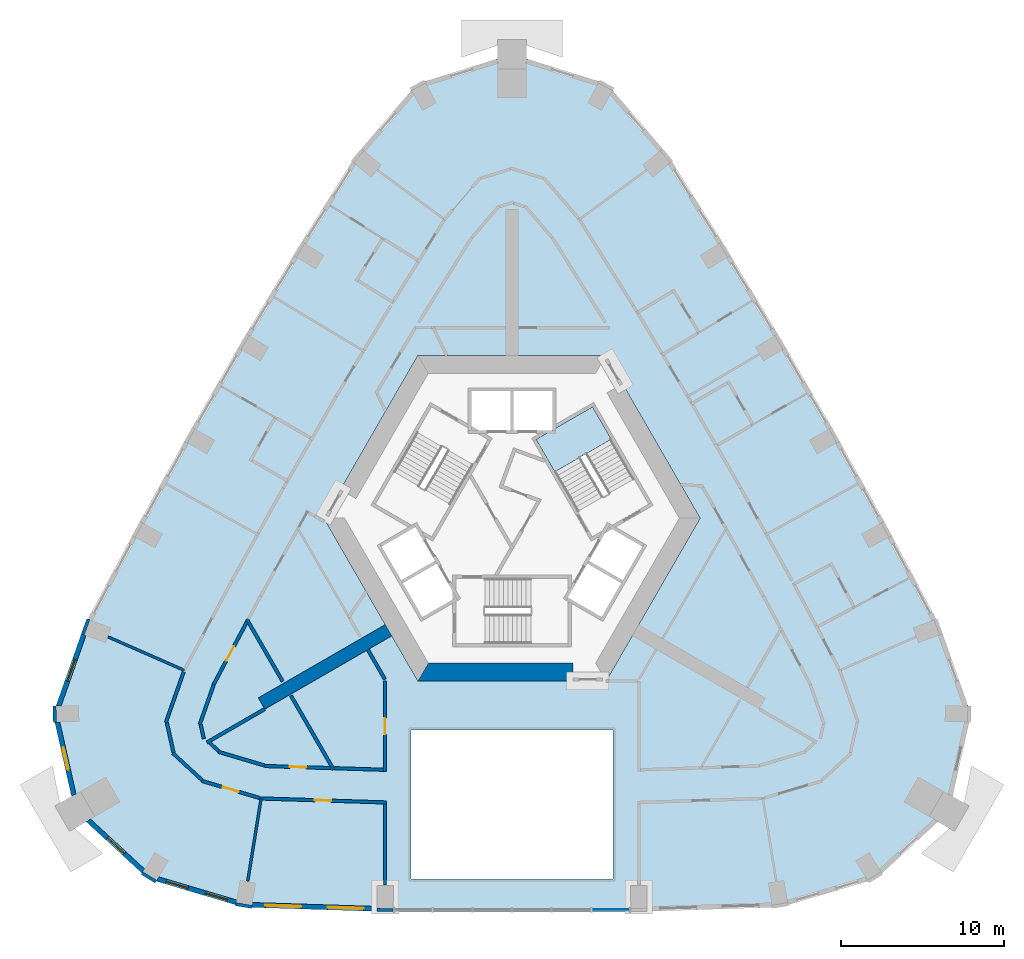
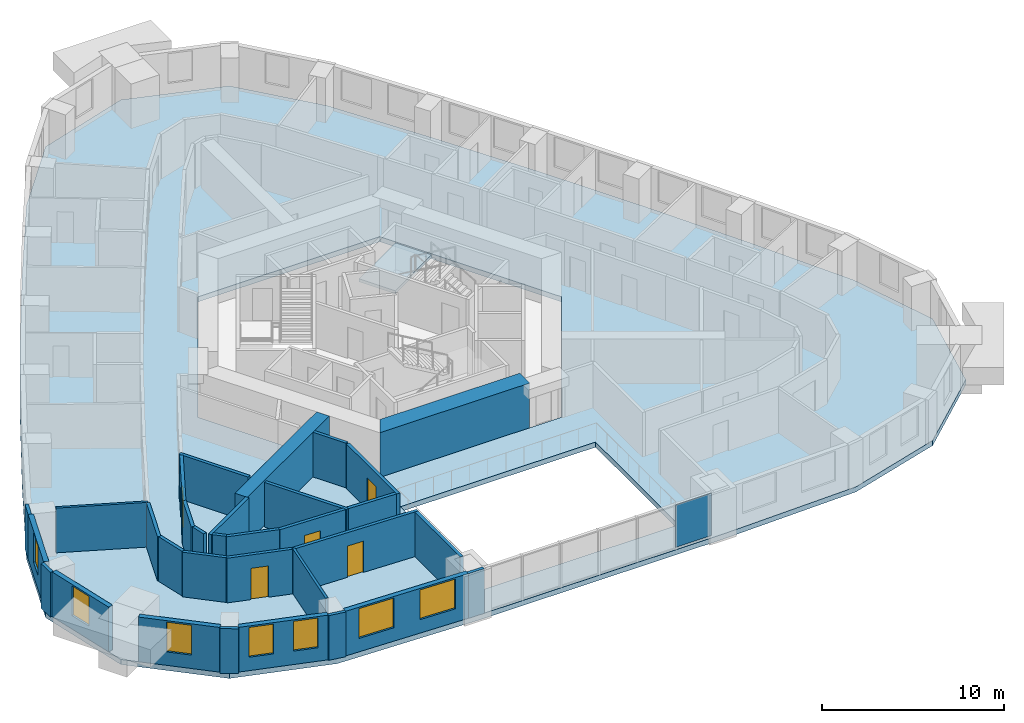
# One storey, part 3 of 12: 32 walls, 7 windows, 5 doors, 2 slabs, 1 plate, 12 openings, 2 elements without a shape of their own.
"""IFC4 building model written with IfcOpenShell, lengths in metres."""

from ifc_helpers import new_model, si_unit, direction, frame, frame_2d, origin, origin_2d, place, context, subcontext, project, spatial, polyline, rectangle, outline, extrude, material, layer, layer_set, type_object, element, fill, aggregate, save


model = new_model("IFC4")

# Units and contexts
model_context = context("Model", 3, precision=1e-05, world=origin(), true_north=direction((0.0, 1.0)))
body_context = subcontext(model_context, "Body", "Model", "MODEL_VIEW")
ifc_project = project(units=[si_unit("LENGTHUNIT", "METRE"), si_unit("AREAUNIT", "SQUARE_METRE"), si_unit("VOLUMEUNIT", "CUBIC_METRE"), si_unit("PLANEANGLEUNIT", "RADIAN"), si_unit("MASSUNIT", "GRAM", prefix="KILO")], contexts=[model_context])

# Site, building, storey
site_placement = place(None, origin())
site = spatial("IfcSite", under=ifc_project, at=site_placement, CompositionType="ELEMENT")
building_placement = place(site_placement, origin())
building = spatial("IfcBuilding", under=site, at=building_placement, Name="Entoto Arch Interchange Tower", CompositionType="ELEMENT")
storey_placement = place(building_placement, frame((0.0, 0.0, 277.39990234375)))
storey = spatial("IfcBuildingStorey", under=building, at=storey_placement, Name="L64", CompositionType="ELEMENT", Elevation=277.39990234375)

# Stair, slab
ifc_material_1 = material(Name="Concrete C40/50", Category="concrete")
stair_type = type_object("IfcStairType", Name="EXIT STAIR RC 1800", PredefinedType="HALF_TURN_STAIR", material=ifc_material_1)
stair_placement = place(storey_placement, origin())
stair = element("IfcStair", 1, at=stair_placement, inside=storey, type_object=stair_type, Name="L64 Exit stair NE", PredefinedType="HALF_TURN_STAIR")
ifc_layer_1 = layer(ifc_material_1, 0.199951171875)
ifc_layer_set_1 = layer_set([ifc_layer_1], Name="Concrete C40/50")
slab_type_1 = type_object("IfcSlabType", Name="EXIT STAIR LANDING RC 200", PredefinedType="LANDING", material=ifc_layer_set_1)
slab_1_placement = place(storey_placement, frame((0.0, 0.0, 1.60009765625)))
slab_1 = element("IfcSlab", 2, at=slab_1_placement, type_object=slab_type_1, Name="ST-NE landing 1", PredefinedType="LANDING", context=body_context, shape_type="SweptSolid", body=[
    extrude(outline(polyline([(6.093505859375, 7.345947265625), (4.943359375, 9.337890625), (1.479248046875, 7.337890625), (2.62939453125, 5.345947265625), (6.093505859375, 7.345947265625)])), origin(), (0.0, 0.0, 1.0), 0.199951171875),
])
aggregate(stair, [slab_1])

# Curtain wall, plate
ifc_material_2 = material(Name="Aluminium, anodised", Category="aluminium")
curtain_wall_type = type_object("IfcCurtainWallType", Name="CURTAIN WALL ATRIUM", PredefinedType="NOTDEFINED", material=ifc_material_2)
curtain_wall_placement = place(storey_placement, origin())
curtain_wall = element("IfcCurtainWall", 3, at=curtain_wall_placement, inside=storey, type_object=curtain_wall_type, Name="Atrium glazing S-02 L64", PredefinedType="NOTDEFINED")
ifc_material_3 = material(Name="Clear glass, low-e double glazed", Category="glass")
ifc_layer_2 = layer(ifc_material_3, 0.031982421875)
ifc_layer_set_2 = layer_set([ifc_layer_2], Name="Clear glass, low-e double glazed")
plate_type = type_object("IfcPlateType", Name="GLAZING PANEL ATRIUM 32", PredefinedType="CURTAIN_PANEL", material=ifc_layer_set_2)
plate_placement = place(storey_placement, frame((6.0576171875, -21.52490234375, 0.080078125), z_axis=(0.0, 0.0, 1.0), x_axis=(1.0, 0.0, 0.0)))
plate = element("IfcPlate", 4, at=plate_placement, type_object=plate_type, Name="CWA panel 6.1", PredefinedType="CURTAIN_PANEL", context=body_context, shape_type="SweptSolid", body=[
    extrude(rectangle(XDim=2.282958984375, YDim=0.031982421875, at=origin_2d()), origin(), (0.0, 0.0, 1.0), 2.840087890625),
])
aggregate(curtain_wall, [plate])

# Slab
ifc_layer_3 = layer(ifc_material_1, 0.340087890625)
ifc_layer_set_3 = layer_set([ifc_layer_3], Name="Concrete C40/50")
slab_type_2 = type_object("IfcSlabType", Name="Post-tensioned flat plate 340 C40/50", PredefinedType="FLOOR", material=ifc_layer_set_3)
slab_2_placement = place(storey_placement, frame((0.0, 0.0, -0.33984375)))
element("IfcSlab", 5, at=slab_2_placement, inside=storey, type_object=slab_type_2, Name="Floor slab L64", PredefinedType="FLOOR", context=body_context, shape_type="SweptSolid", body=[
    extrude(outline(polyline([(-16.47998046875, -21.3740234375), (-7.800048828125, -21.64990234375), (7.800048828125, -21.64990234375), (16.47998046875, -21.3740234375), (22.340087890625, -19.635009765625), (26.8359375, -15.493896484375), (28.174072265625, -9.529052734375), (26.27294921875, -4.135986328125), (23.083984375, 1.860107421875), (19.873046875, 7.64990234375), (16.56201171875, 13.385009765625), (13.153076171875, 19.06103515625), (9.553955078125, 24.821044921875), (5.833984375, 29.1640625), (0.0, 30.988037109375), (-5.833984375, 29.1640625), (-9.553955078125, 24.821044921875), (-13.153076171875, 19.06103515625), (-16.56201171875, 13.385009765625), (-19.873046875, 7.64990234375), (-23.083984375, 1.860107421875), (-26.27294921875, -4.135986328125), (-28.174072265625, -9.529052734375), (-26.8359375, -15.493896484375), (-22.340087890625, -19.635009765625), (-16.47998046875, -21.3740234375)]), holes=[polyline([(6.199951171875, -19.64990234375), (6.199951171875, -10.5), (-6.199951171875, -10.5), (-6.199951171875, -19.64990234375), (6.199951171875, -19.64990234375)]), polyline([(11.547119140625, 2.5), (5.77392578125, 12.5), (-5.77392578125, 12.5), (-11.547119140625, 2.5), (-5.77392578125, -7.5), (5.77392578125, -7.5), (11.547119140625, 2.5)])]), origin(), (0.0, 0.0, 1.0), 0.33984375),
])

# Walls
ifc_layer_4 = layer(ifc_material_1, 0.800048828125)
ifc_layer_set_4 = layer_set([ifc_layer_4], Name="Concrete C40/50")
wall_type_1 = type_object("IfcWallType", Name="Buttress wall 800 C40/50", PredefinedType="SHEAR", material=ifc_layer_set_4)
wall_1_placement = place(storey_placement, frame((-7.577880859375, -4.375, -0.33984375), z_axis=(0.0, 0.0, 1.0), x_axis=(-0.866024315419, -0.5000018851, 0.0)))
element("IfcWall", 6, at=wall_1_placement, inside=storey, type_object=wall_type_1, Name="Buttress wall SW L64", PredefinedType="SHEAR", context=body_context, shape_type="SweptSolid", body=[
    extrude(rectangle(XDim=9.0, YDim=0.800048828125, at=frame_2d((4.5, 0.0))), origin(), (0.0, 0.0, 1.0), 3.33984375),
])
ifc_layer_5 = layer(ifc_material_1, 1.10009765625)
ifc_layer_set_5 = layer_set([ifc_layer_5], Name="Concrete C40/50")
wall_type_2 = type_object("IfcWallType", Name="Core wall 1100 C40/50", PredefinedType="SHEAR", material=ifc_layer_set_5)
wall_2_placement = place(storey_placement, frame((0.0, 0.0, -0.33984375)))
element("IfcWall", 7, at=wall_2_placement, inside=storey, type_object=wall_type_2, Name="Core wall S L64", PredefinedType="SHEAR", context=body_context, shape_type="SweptSolid", body=[
    extrude(outline(polyline([(3.75, -7.5), (3.75, -6.39990234375), (-5.137939453125, -6.39990234375), (-5.77392578125, -7.5), (3.75, -7.5)])), origin(), (0.0, 0.0, 1.0), 3.33984375),
])
ifc_material_4 = material(Name="Gypsum board partition on steel studs", Category="steel")
ifc_layer_6 = layer(ifc_material_4, 0.14990234375)
ifc_layer_set_6 = layer_set([ifc_layer_6], Name="Gypsum board partition on steel studs")
wall_type_3 = type_object("IfcWallType", Name="PARTITION 150", PredefinedType="PARTITIONING", material=ifc_layer_set_6)
wall_3_placement = place(storey_placement, frame((-20.12109375, -6.837890625, 0.0), z_axis=(0.0, 0.0, 1.0), x_axis=(-0.91561994307, 0.402044922679, 0.0)))
element("IfcWall", 8, at=wall_3_placement, inside=storey, type_object=wall_type_3, Name="wall:L64:p122", PredefinedType="PARTITIONING", context=body_context, shape_type="SweptSolid", body=[
    extrude(rectangle(XDim=5.095947265625, YDim=0.14990234375, at=frame_2d((2.5478515625, 0.0))), origin(), (0.0, 0.0, 1.0), 3.0),
])
wall_4_placement = place(storey_placement, frame((-15.403076171875, -14.705078125, 0.0), z_axis=(0.0, 0.0, 1.0), x_axis=(-0.159447664828, -0.98720638277, 0.0)))
element("IfcWall", 9, at=wall_4_placement, inside=storey, type_object=wall_type_3, Name="wall:L64:p123", PredefinedType="PARTITIONING", context=body_context, shape_type="SweptSolid", body=[
    extrude(rectangle(XDim=5.135498046875, YDim=0.14990234375, at=frame_2d((2.56787109375, 0.0))), origin(), (0.0, 0.0, 1.0), 3.0),
])
ifc_layer_7 = layer(ifc_material_4, 0.199951171875)
ifc_layer_set_7 = layer_set([ifc_layer_7], Name="Gypsum board partition on steel studs")
wall_type_4 = type_object("IfcWallType", Name="PARTITION 200", PredefinedType="PARTITIONING", material=ifc_layer_set_7)
wall_5_placement = place(storey_placement, frame((-10.902099609375, -12.846923828125, 0.0), z_axis=(0.0, 0.0, 1.0), x_axis=(0.999500028713, -0.031617915847, 0.0)))
element("IfcWall", 10, at=wall_5_placement, inside=storey, type_object=wall_type_4, Name="wall:L64:p030", PredefinedType="PARTITIONING", context=body_context, shape_type="SweptSolid", body=[
    extrude(rectangle(XDim=3.003662109375, YDim=0.199951171875, at=frame_2d((1.501953125, 0.0))), origin(), (0.0, 0.0, 1.0), 3.0),
])

# Wall, opening, door
wall_6_placement = place(storey_placement, frame((-16.279052734375, -3.873046875, 0.0), z_axis=(0.0, 0.0, 1.0), x_axis=(-0.469587967357, -0.882885689608, 0.0)))
wall_6 = element("IfcWall", 11, at=wall_6_placement, inside=storey, type_object=wall_type_4, Name="wall:L64:p031", PredefinedType="PARTITIONING", context=body_context, shape_type="SweptSolid", body=[
    extrude(rectangle(XDim=4.371826171875, YDim=0.199951171875, at=frame_2d((2.18603515625, 0.0))), origin(), (0.0, 0.0, 1.0), 3.0),
])
opening_1_placement = place(wall_6_placement, frame((1.68603515625, 0.0, 0.0)))
opening_1 = element("IfcOpeningElement", 12, at=opening_1_placement, cuts=wall_6, Name="Opening L64-D28", PredefinedType="OPENING", context=body_context, shape_type="SweptSolid", body=[
    extrude(rectangle(XDim=1.0, YDim=2.10009765625, at=frame_2d((0.5, 1.050048828125))), frame((0.0, 0.10986328125, 0.0), z_axis=(0.0, -1.0, 0.0), x_axis=(1.0, 0.0, 0.0)), (0.0, 0.0, 1.0), 0.219970703125),
])
ifc_material_5 = material(Name="Timber door leaf in Steel S235 frame", Category="steel")
door_type = type_object("IfcDoorType", Name="DOOR DS-10 1000x2100", OperationType="SINGLE_SWING_LEFT", PredefinedType="DOOR", material=ifc_material_5)
door_1_placement = place(opening_1_placement, origin())
door_1 = element("IfcDoor", 13, at=door_1_placement, inside=storey, type_object=door_type, Name="door:L64:28", OperationType="SINGLE_SWING_LEFT", OverallHeight=2.10009765625, OverallWidth=1.0, PredefinedType="DOOR", context=body_context, shape_type="SweptSolid", body=[
    extrude(rectangle(XDim=1.0, YDim=2.10009765625, at=frame_2d((0.5, 1.050048828125))), frame((0.0, 0.02490234375, 0.0), z_axis=(0.0, -1.0, 0.0), x_axis=(1.0, 0.0, 0.0)), (0.0, 0.0, 1.0), 0.050048828125),
])
fill(opening_1, door_1)

# Walls
wall_7_placement = place(storey_placement, frame((-18.318115234375, -7.739013671875, 0.0), z_axis=(0.0, 0.0, 1.0), x_axis=(-0.332486504777, -0.943108012977, 0.0)))
element("IfcWall", 14, at=wall_7_placement, inside=storey, type_object=wall_type_4, Name="wall:L64:p032", PredefinedType="PARTITIONING", context=body_context, shape_type="SweptSolid", body=[
    extrude(rectangle(XDim=2.56494140625, YDim=0.199951171875, at=frame_2d((1.282470703125, 0.0))), origin(), (0.0, 0.0, 1.0), 3.0),
])
wall_8_placement = place(storey_placement, frame((-19.115966796875, -10.160888671875, 0.0), z_axis=(0.0, 0.0, 1.0), x_axis=(0.219096654714, -0.975703159723, 0.0)))
element("IfcWall", 15, at=wall_8_placement, inside=storey, type_object=wall_type_4, Name="wall:L64:p033", PredefinedType="PARTITIONING", context=body_context, shape_type="SweptSolid", body=[
    extrude(rectangle(XDim=0.894775390625, YDim=0.199951171875, at=frame_2d((0.447265625, 0.0))), origin(), (0.0, 0.0, 1.0), 3.0),
])
wall_9_placement = place(storey_placement, frame((-18.56689453125, -11.281982421875, 0.0), z_axis=(0.0, 0.0, 1.0), x_axis=(0.735218904444, -0.677829744514, 0.0)))
element("IfcWall", 16, at=wall_9_placement, inside=storey, type_object=wall_type_4, Name="wall:L64:p034", PredefinedType="PARTITIONING", context=body_context, shape_type="SweptSolid", body=[
    extrude(rectangle(XDim=0.765625, YDim=0.199951171875, at=frame_2d((0.3828125, 0.0))), origin(), (0.0, 0.0, 1.0), 3.0),
])
wall_10_placement = place(storey_placement, frame((-18.02587890625, -11.840087890625, 0.0), z_axis=(0.0, 0.0, 1.0), x_axis=(0.958629704259, -0.284656090947, 0.0)))
element("IfcWall", 17, at=wall_10_placement, inside=storey, type_object=wall_type_4, Name="wall:L64:p035", PredefinedType="PARTITIONING", context=body_context, shape_type="SweptSolid", body=[
    extrude(rectangle(XDim=2.971923828125, YDim=0.199951171875, at=frame_2d((1.48583984375, 0.0))), origin(), (0.0, 0.0, 1.0), 3.0),
])

# Wall, opening, door
wall_11_placement = place(storey_placement, frame((-15.180908203125, -12.7109375, 0.0), z_axis=(0.0, 0.0, 1.0), x_axis=(0.999491493959, -0.031886572471, 0.0)))
wall_11 = element("IfcWall", 18, at=wall_11_placement, inside=storey, type_object=wall_type_4, Name="wall:L64:p036", PredefinedType="PARTITIONING", context=body_context, shape_type="SweptSolid", body=[
    extrude(rectangle(XDim=4.080810546875, YDim=0.199951171875, at=frame_2d((2.04052734375, 0.0))), origin(), (0.0, 0.0, 1.0), 3.0),
])
opening_2_placement = place(wall_11_placement, frame((1.541015625, 0.0, 0.0)))
opening_2 = element("IfcOpeningElement", 19, at=opening_2_placement, cuts=wall_11, Name="Opening L64-D29", PredefinedType="OPENING", context=body_context, shape_type="SweptSolid", body=[
    extrude(rectangle(XDim=1.0, YDim=2.10009765625, at=frame_2d((0.5, 1.050048828125))), frame((0.0, 0.10986328125, 0.0), z_axis=(0.0, -1.0, 0.0), x_axis=(1.0, 0.0, 0.0)), (0.0, 0.0, 1.0), 0.219970703125),
])
door_2_placement = place(opening_2_placement, origin())
door_2 = element("IfcDoor", 20, at=door_2_placement, inside=storey, type_object=door_type, Name="door:L64:29", OperationType="SINGLE_SWING_LEFT", OverallHeight=2.10009765625, OverallWidth=1.0, PredefinedType="DOOR", context=body_context, shape_type="SweptSolid", body=[
    extrude(rectangle(XDim=1.0, YDim=2.10009765625, at=frame_2d((0.5, 1.050048828125))), frame((0.0, 0.02490234375, 0.0), z_axis=(0.0, -1.0, 0.0), x_axis=(1.0, 0.0, 0.0)), (0.0, 0.0, 1.0), 0.050048828125),
])
fill(opening_2, door_2)

wall_12_placement = place(storey_placement, frame((-15.4990234375, -14.676025390625, 0.0), z_axis=(0.0, 0.0, 1.0), x_axis=(-0.958734738219, 0.284302131073, 0.0)))
wall_12 = element("IfcWall", 21, at=wall_12_placement, inside=storey, type_object=wall_type_4, Name="wall:L64:p067", PredefinedType="PARTITIONING", context=body_context, shape_type="SweptSolid", body=[
    extrude(rectangle(XDim=3.693359375, YDim=0.199951171875, at=frame_2d((1.8466796875, 0.0))), origin(), (0.0, 0.0, 1.0), 3.0),
])
opening_3_placement = place(wall_12_placement, frame((1.346923828125, 0.0, 0.0)))
opening_3 = element("IfcOpeningElement", 22, at=opening_3_placement, cuts=wall_12, Name="Opening L64-D20", PredefinedType="OPENING", context=body_context, shape_type="SweptSolid", body=[
    extrude(rectangle(XDim=1.0, YDim=2.10009765625, at=frame_2d((0.5, 1.050048828125))), frame((0.0, 0.10986328125, 0.0), z_axis=(0.0, -1.0, 0.0), x_axis=(1.0, 0.0, 0.0)), (0.0, 0.0, 1.0), 0.219970703125),
])
door_3_placement = place(opening_3_placement, origin())
door_3 = element("IfcDoor", 23, at=door_3_placement, inside=storey, type_object=door_type, Name="door:L64:20", OperationType="SINGLE_SWING_LEFT", OverallHeight=2.10009765625, OverallWidth=1.0, PredefinedType="DOOR", context=body_context, shape_type="SweptSolid", body=[
    extrude(rectangle(XDim=1.0, YDim=2.10009765625, at=frame_2d((0.5, 1.050048828125))), frame((0.0, 0.02490234375, 0.0), z_axis=(0.0, -1.0, 0.0), x_axis=(1.0, 0.0, 0.0)), (0.0, 0.0, 1.0), 0.050048828125),
])
fill(opening_3, door_3)

# Walls
wall_13_placement = place(storey_placement, frame((-19.01806640625, -13.5859375, 0.0), z_axis=(0.0, 0.0, 1.0), x_axis=(-0.735547704352, 0.67747293276, 0.0)))
element("IfcWall", 24, at=wall_13_placement, inside=storey, type_object=wall_type_4, Name="wall:L64:p068", PredefinedType="PARTITIONING", context=body_context, shape_type="SweptSolid", body=[
    extrude(rectangle(XDim=2.46337890625, YDim=0.199951171875, at=frame_2d((1.231689453125, 0.0))), origin(), (0.0, 0.0, 1.0), 3.0),
])
wall_14_placement = place(storey_placement, frame((-20.779052734375, -11.886962890625, 0.0), z_axis=(0.0, 0.0, 1.0), x_axis=(-0.218540107266, 0.975827967173, 0.0)))
element("IfcWall", 25, at=wall_14_placement, inside=storey, type_object=wall_type_4, Name="wall:L64:p069", PredefinedType="PARTITIONING", context=body_context, shape_type="SweptSolid", body=[
    extrude(rectangle(XDim=1.894775390625, YDim=0.199951171875, at=frame_2d((0.947265625, 0.0))), origin(), (0.0, 0.0, 1.0), 3.0),
])
wall_15_placement = place(storey_placement, frame((-21.248046875, -10.034912109375, 0.0), z_axis=(0.0, 0.0, 1.0), x_axis=(0.332233916116, 0.943197023417, 0.0)))
element("IfcWall", 26, at=wall_15_placement, inside=storey, type_object=wall_type_4, Name="wall:L64:p070", PredefinedType="PARTITIONING", context=body_context, shape_type="SweptSolid", body=[
    extrude(rectangle(XDim=3.289794921875, YDim=0.199951171875, at=frame_2d((1.64501953125, 0.0))), origin(), (0.0, 0.0, 1.0), 3.0),
])

# Wall, opening, door
wall_16_placement = place(storey_placement, frame((-7.699951171875, -14.949951171875, 0.0), z_axis=(0.0, 0.0, 1.0), x_axis=(-0.999495120537, 0.031772693047, 0.0)))
wall_16 = element("IfcWall", 27, at=wall_16_placement, inside=storey, type_object=wall_type_4, Name="wall:L64:p071", PredefinedType="PARTITIONING", context=body_context, shape_type="SweptSolid", body=[
    extrude(rectangle(XDim=7.806884765625, YDim=0.199951171875, at=frame_2d((3.9033203125, 0.0))), origin(), (0.0, 0.0, 1.0), 3.0),
])
opening_4_placement = place(wall_16_placement, frame((3.403076171875, 0.0, 0.0)))
opening_4 = element("IfcOpeningElement", 28, at=opening_4_placement, cuts=wall_16, Name="Opening L64-D21", PredefinedType="OPENING", context=body_context, shape_type="SweptSolid", body=[
    extrude(rectangle(XDim=1.0, YDim=2.10009765625, at=frame_2d((0.5, 1.050048828125))), frame((0.0, 0.10986328125, 0.0), z_axis=(0.0, -1.0, 0.0), x_axis=(1.0, 0.0, 0.0)), (0.0, 0.0, 1.0), 0.219970703125),
])
door_4_placement = place(opening_4_placement, origin())
door_4 = element("IfcDoor", 29, at=door_4_placement, inside=storey, type_object=door_type, Name="door:L64:21", OperationType="SINGLE_SWING_LEFT", OverallHeight=2.10009765625, OverallWidth=1.0, PredefinedType="DOOR", context=body_context, shape_type="SweptSolid", body=[
    extrude(rectangle(XDim=1.0, YDim=2.10009765625, at=frame_2d((0.5, 1.050048828125))), frame((0.0, 0.02490234375, 0.0), z_axis=(0.0, -1.0, 0.0), x_axis=(1.0, 0.0, 0.0)), (0.0, 0.0, 1.0), 0.050048828125),
])
fill(opening_4, door_4)

wall_17_placement = place(storey_placement, frame((-7.800048828125, -13.0458984375, 0.0), z_axis=(0.0, 0.0, 1.0), x_axis=(0.0, 1.0, 0.0)))
wall_17 = element("IfcWall", 30, at=wall_17_placement, inside=storey, type_object=wall_type_4, Name="wall:L64:p082", PredefinedType="PARTITIONING", context=body_context, shape_type="SweptSolid", body=[
    extrude(rectangle(XDim=5.546875, YDim=0.199951171875, at=frame_2d((2.7734375, 0.0))), origin(), (0.0, 0.0, 1.0), 3.0),
])
opening_5_placement = place(wall_17_placement, frame((2.27294921875, 0.0, 0.0)))
opening_5 = element("IfcOpeningElement", 31, at=opening_5_placement, cuts=wall_17, Name="Opening L64-D27", PredefinedType="OPENING", context=body_context, shape_type="SweptSolid", body=[
    extrude(rectangle(XDim=1.0, YDim=2.10009765625, at=frame_2d((0.5, 1.050048828125))), frame((0.0, 0.10986328125, 0.0), z_axis=(0.0, -1.0, 0.0), x_axis=(1.0, 0.0, 0.0)), (0.0, 0.0, 1.0), 0.219970703125),
])
door_5_placement = place(opening_5_placement, origin())
door_5 = element("IfcDoor", 32, at=door_5_placement, inside=storey, type_object=door_type, Name="door:L64:27", OperationType="SINGLE_SWING_LEFT", OverallHeight=2.10009765625, OverallWidth=1.0, PredefinedType="DOOR", context=body_context, shape_type="SweptSolid", body=[
    extrude(rectangle(XDim=1.0, YDim=2.10009765625, at=frame_2d((0.5, 1.050048828125))), frame((0.0, 0.02490234375, 0.0), z_axis=(0.0, -1.0, 0.0), x_axis=(1.0, 0.0, 0.0)), (0.0, 0.0, 1.0), 0.050048828125),
])
fill(opening_5, door_5)

# Walls
wall_18_placement = place(storey_placement, frame((-7.800048828125, -7.389892578125, 0.0), z_axis=(0.0, 0.0, 1.0), x_axis=(-0.499977374825, 0.866038466041, 0.0)))
element("IfcWall", 33, at=wall_18_placement, inside=storey, type_object=wall_type_4, Name="wall:L64:p083", PredefinedType="PARTITIONING", context=body_context, shape_type="SweptSolid", body=[
    extrude(rectangle(XDim=2.10009765625, YDim=0.199951171875, at=frame_2d((1.050048828125, 0.0))), origin(), (0.0, 0.0, 1.0), 3.0),
])
wall_19_placement = place(storey_placement, frame((-7.800048828125, -20.030029296875, 0.0), z_axis=(0.0, 0.0, 1.0), x_axis=(0.0, 1.0, 0.0)))
element("IfcWall", 34, at=wall_19_placement, inside=storey, type_object=wall_type_4, Name="wall:L64:p085", PredefinedType="PARTITIONING", context=body_context, shape_type="SweptSolid", body=[
    extrude(rectangle(XDim=4.98291015625, YDim=0.199951171875, at=frame_2d((2.491455078125, 0.0))), origin(), (0.0, 0.0, 1.0), 3.0),
])
wall_20_placement = place(storey_placement, frame((-14.0791015625, -7.513916015625, 0.0), z_axis=(0.0, 0.0, 1.0), x_axis=(-0.499959077901, 0.86604902888, 0.0)))
element("IfcWall", 35, at=wall_20_placement, inside=storey, type_object=wall_type_4, Name="wall:L64:p090", PredefinedType="PARTITIONING", context=body_context, shape_type="SweptSolid", body=[
    extrude(rectangle(XDim=4.406005859375, YDim=0.199951171875, at=frame_2d((2.203125, 0.0))), origin(), (0.0, 0.0, 1.0), 3.0),
])
wall_21_placement = place(storey_placement, frame((-10.951904296875, -12.929931640625, 0.0), z_axis=(0.0, 0.0, 1.0), x_axis=(-0.50002013732, 0.866013777185, 0.0)))
element("IfcWall", 36, at=wall_21_placement, inside=storey, type_object=wall_type_4, Name="wall:L64:p092", PredefinedType="PARTITIONING", context=body_context, shape_type="SweptSolid", body=[
    extrude(rectangle(XDim=5.229736328125, YDim=0.199951171875, at=frame_2d((2.61474609375, 0.0))), origin(), (0.0, 0.0, 1.0), 3.0),
])
wall_22_placement = place(storey_placement, frame((-15.176025390625, -9.214111328125, 0.0), z_axis=(0.0, 0.0, 1.0), x_axis=(-0.86606561423, -0.499930346997, 0.0)))
element("IfcWall", 37, at=wall_22_placement, inside=storey, type_object=wall_type_4, Name="wall:L64:p093", PredefinedType="PARTITIONING", context=body_context, shape_type="SweptSolid", body=[
    extrude(rectangle(XDim=4.10009765625, YDim=0.199951171875, at=frame_2d((2.050048828125, 0.0))), origin(), (0.0, 0.0, 1.0), 3.0),
])

# Wall, openings, windows
ifc_material_6 = material(Name="Welded tuff (ignimbrite) cladding, warm buff", Category="masonry")
ifc_layer_8 = layer(ifc_material_6, 0.300048828125)
ifc_layer_set_8 = layer_set([ifc_layer_8], Name="Welded tuff (ignimbrite) cladding, warm buff")
wall_type_5 = type_object("IfcWallType", Name="STONE INFILL WALL 300", PredefinedType="STANDARD", material=ifc_layer_set_8)
wall_23_placement = place(storey_placement, frame((-15.950927734375, -21.240966796875, 0.0), z_axis=(0.0, 0.0, 1.0), x_axis=(0.999496876383, -0.031717410046, 0.0)))
wall_23 = element("IfcWall", 38, at=wall_23_placement, inside=storey, type_object=wall_type_5, Name="Facade wall S-01 L64", PredefinedType="STANDARD", context=body_context, shape_type="SweptSolid", body=[
    extrude(rectangle(XDim=7.658935546875, YDim=0.300048828125, at=frame_2d((3.82958984375, 0.0))), origin(), (0.0, 0.0, 1.0), 3.0),
])
opening_6_placement = place(wall_23_placement, frame((0.81494140625, 0.0, 0.89990234375)))
opening_6 = element("IfcOpeningElement", 39, at=opening_6_placement, cuts=wall_23, Name="Opening WH-A", PredefinedType="OPENING", context=body_context, shape_type="SweptSolid", body=[
    extrude(rectangle(XDim=2.199951171875, YDim=2.0, at=frame_2d((1.10009765625, 1.0))), frame((0.0, 0.16015625, 0.0), z_axis=(0.0, -1.0, 0.0), x_axis=(1.0, 0.0, 0.0)), (0.0, 0.0, 1.0), 0.320068359375),
])
opening_7_placement = place(wall_23_placement, frame((4.64404296875, 0.0, 0.89990234375)))
opening_7 = element("IfcOpeningElement", 40, at=opening_7_placement, cuts=wall_23, Name="Opening WH-A", PredefinedType="OPENING", context=body_context, shape_type="SweptSolid", body=[
    extrude(rectangle(XDim=2.199951171875, YDim=2.0, at=frame_2d((1.10009765625, 1.0))), frame((0.0, 0.16015625, 0.0), z_axis=(0.0, -1.0, 0.0), x_axis=(1.0, 0.0, 0.0)), (0.0, 0.0, 1.0), 0.320068359375),
])
window_type_1 = type_object("IfcWindowType", Name="WINDOW WH-A 2200x2000", PartitioningType="DOUBLE_PANEL_VERTICAL", PredefinedType="WINDOW", material=ifc_material_3)
window_1_placement = place(opening_6_placement, origin())
window_1 = element("IfcWindow", 41, at=window_1_placement, inside=storey, type_object=window_type_1, Name="Window WH-A S-01 L64", OverallHeight=2.0, OverallWidth=2.199951171875, PartitioningType="SINGLE_PANEL", PredefinedType="WINDOW", context=body_context, shape_type="SweptSolid", body=[
    extrude(rectangle(XDim=2.199951171875, YDim=2.0, at=frame_2d((1.10009765625, 1.0))), frame((0.0, 0.030029296875, 0.0), z_axis=(0.0, -1.0, 0.0), x_axis=(1.0, 0.0, 0.0)), (0.0, 0.0, 1.0), 0.06005859375),
])
fill(opening_6, window_1)
window_2_placement = place(opening_7_placement, origin())
window_2 = element("IfcWindow", 42, at=window_2_placement, inside=storey, type_object=window_type_1, Name="Window WH-A S-01 L64", OverallHeight=2.0, OverallWidth=2.199951171875, PartitioningType="SINGLE_PANEL", PredefinedType="WINDOW", context=body_context, shape_type="SweptSolid", body=[
    extrude(rectangle(XDim=2.199951171875, YDim=2.0, at=frame_2d((1.10009765625, 1.0))), frame((0.0, 0.030029296875, 0.0), z_axis=(0.0, -1.0, 0.0), x_axis=(1.0, 0.0, 0.0)), (0.0, 0.0, 1.0), 0.06005859375),
])
fill(opening_7, window_2)

# Wall, opening, window
wall_24_placement = place(storey_placement, frame((-26.298095703125, -4.658935546875, 0.0), z_axis=(0.0, 0.0, 1.0), x_axis=(-0.332491532378, -0.943106240514, 0.0)))
wall_24 = element("IfcWall", 43, at=wall_24_placement, inside=storey, type_object=wall_type_5, Name="Facade wall SW-01 L64", PredefinedType="STANDARD", context=body_context, shape_type="SweptSolid", body=[
    extrude(rectangle(XDim=4.625244140625, YDim=0.300048828125, at=frame_2d((2.3125, 0.0))), origin(), (0.0, 0.0, 1.0), 3.0),
])
opening_8_placement = place(wall_24_placement, frame((1.613037109375, 0.0, 0.89990234375)))
opening_8 = element("IfcOpeningElement", 44, at=opening_8_placement, cuts=wall_24, Name="Opening WH-B", PredefinedType="OPENING", context=body_context, shape_type="SweptSolid", body=[
    extrude(rectangle(XDim=1.39990234375, YDim=2.0, at=frame_2d((0.699951171875, 1.0))), frame((0.0, 0.16015625, 0.0), z_axis=(0.0, -1.0, 0.0), x_axis=(1.0, 0.0, 0.0)), (0.0, 0.0, 1.0), 0.320068359375),
])
window_type_2 = type_object("IfcWindowType", Name="WINDOW WH-B 1400x2000", PartitioningType="DOUBLE_PANEL_VERTICAL", PredefinedType="WINDOW", material=ifc_material_3)
window_3_placement = place(opening_8_placement, origin())
window_3 = element("IfcWindow", 45, at=window_3_placement, inside=storey, type_object=window_type_2, Name="Window WH-B SW-01 L64", OverallHeight=2.0, OverallWidth=1.39990234375, PartitioningType="SINGLE_PANEL", PredefinedType="WINDOW", context=body_context, shape_type="SweptSolid", body=[
    extrude(rectangle(XDim=1.39990234375, YDim=2.0, at=frame_2d((0.699951171875, 1.0))), frame((0.0, 0.030029296875, 0.0), z_axis=(0.0, -1.0, 0.0), x_axis=(1.0, 0.0, 0.0)), (0.0, 0.0, 1.0), 0.06005859375),
])
fill(opening_8, window_3)

wall_25_placement = place(storey_placement, frame((-27.909912109375, -10.02197265625, 0.0), z_axis=(0.0, 0.0, 1.0), x_axis=(0.218936963279, -0.975739005119, 0.0)))
wall_25 = element("IfcWall", 46, at=wall_25_placement, inside=storey, type_object=wall_type_5, Name="Facade wall SW-02 L64", PredefinedType="STANDARD", context=body_context, shape_type="SweptSolid", body=[
    extrude(rectangle(XDim=4.58544921875, YDim=0.300048828125, at=frame_2d((2.292724609375, 0.0))), origin(), (0.0, 0.0, 1.0), 3.0),
])
opening_9_placement = place(wall_25_placement, frame((1.593017578125, 0.0, 0.89990234375)))
opening_9 = element("IfcOpeningElement", 47, at=opening_9_placement, cuts=wall_25, Name="Opening WH-B", PredefinedType="OPENING", context=body_context, shape_type="SweptSolid", body=[
    extrude(rectangle(XDim=1.39990234375, YDim=2.0, at=frame_2d((0.699951171875, 1.0))), frame((0.0, 0.16015625, 0.0), z_axis=(0.0, -1.0, 0.0), x_axis=(1.0, 0.0, 0.0)), (0.0, 0.0, 1.0), 0.320068359375),
])
window_4_placement = place(opening_9_placement, origin())
window_4 = element("IfcWindow", 48, at=window_4_placement, inside=storey, type_object=window_type_2, Name="Window WH-B SW-02 L64", OverallHeight=2.0, OverallWidth=1.39990234375, PartitioningType="SINGLE_PANEL", PredefinedType="WINDOW", context=body_context, shape_type="SweptSolid", body=[
    extrude(rectangle(XDim=1.39990234375, YDim=2.0, at=frame_2d((0.699951171875, 1.0))), frame((0.0, 0.030029296875, 0.0), z_axis=(0.0, -1.0, 0.0), x_axis=(1.0, 0.0, 0.0)), (0.0, 0.0, 1.0), 0.06005859375),
])
fill(opening_9, window_4)

wall_26_placement = place(storey_placement, frame((-26.007080078125, -16.053955078125, 0.0), z_axis=(0.0, 0.0, 1.0), x_axis=(0.735631679486, -0.677381747714, 0.0)))
wall_26 = element("IfcWall", 49, at=wall_26_placement, inside=storey, type_object=wall_type_5, Name="Facade wall SW-03 L64", PredefinedType="STANDARD", context=body_context, shape_type="SweptSolid", body=[
    extrude(rectangle(XDim=4.585205078125, YDim=0.300048828125, at=frame_2d((2.29248046875, 0.0))), origin(), (0.0, 0.0, 1.0), 3.0),
])
opening_10_placement = place(wall_26_placement, frame((1.593017578125, 0.0, 0.89990234375)))
opening_10 = element("IfcOpeningElement", 50, at=opening_10_placement, cuts=wall_26, Name="Opening WH-B", PredefinedType="OPENING", context=body_context, shape_type="SweptSolid", body=[
    extrude(rectangle(XDim=1.39990234375, YDim=2.0, at=frame_2d((0.699951171875, 1.0))), frame((0.0, 0.16015625, 0.0), z_axis=(0.0, -1.0, 0.0), x_axis=(1.0, 0.0, 0.0)), (0.0, 0.0, 1.0), 0.320068359375),
])
window_5_placement = place(opening_10_placement, origin())
window_5 = element("IfcWindow", 51, at=window_5_placement, inside=storey, type_object=window_type_2, Name="Window WH-B SW-03 L64", OverallHeight=2.0, OverallWidth=1.39990234375, PartitioningType="SINGLE_PANEL", PredefinedType="WINDOW", context=body_context, shape_type="SweptSolid", body=[
    extrude(rectangle(XDim=1.39990234375, YDim=2.0, at=frame_2d((0.699951171875, 1.0))), frame((0.0, 0.030029296875, 0.0), z_axis=(0.0, -1.0, 0.0), x_axis=(1.0, 0.0, 0.0)), (0.0, 0.0, 1.0), 0.06005859375),
])
fill(opening_10, window_5)

# Wall, openings, windows
wall_27_placement = place(storey_placement, frame((-21.763916015625, -19.64892578125, 0.0), z_axis=(0.0, 0.0, 1.0), x_axis=(0.95864045837, -0.284619872067, 0.0)))
wall_27 = element("IfcWall", 52, at=wall_27_placement, inside=storey, type_object=wall_type_5, Name="Facade wall SW-04 L64", PredefinedType="STANDARD", context=body_context, shape_type="SweptSolid", body=[
    extrude(rectangle(XDim=5.03515625, YDim=0.300048828125, at=frame_2d((2.517578125, 0.0))), origin(), (0.0, 0.0, 1.0), 3.0),
])
opening_11_placement = place(wall_27_placement, frame((0.55908203125, 0.0, 0.89990234375)))
opening_11 = element("IfcOpeningElement", 53, at=opening_11_placement, cuts=wall_27, Name="Opening WH-B", PredefinedType="OPENING", context=body_context, shape_type="SweptSolid", body=[
    extrude(rectangle(XDim=1.39990234375, YDim=2.0, at=frame_2d((0.699951171875, 1.0))), frame((0.0, 0.16015625, 0.0), z_axis=(0.0, -1.0, 0.0), x_axis=(1.0, 0.0, 0.0)), (0.0, 0.0, 1.0), 0.320068359375),
])
opening_12_placement = place(wall_27_placement, frame((3.075927734375, 0.0, 0.89990234375)))
opening_12 = element("IfcOpeningElement", 54, at=opening_12_placement, cuts=wall_27, Name="Opening WH-B", PredefinedType="OPENING", context=body_context, shape_type="SweptSolid", body=[
    extrude(rectangle(XDim=1.39990234375, YDim=2.0, at=frame_2d((0.699951171875, 1.0))), frame((0.0, 0.16015625, 0.0), z_axis=(0.0, -1.0, 0.0), x_axis=(1.0, 0.0, 0.0)), (0.0, 0.0, 1.0), 0.320068359375),
])
window_6_placement = place(opening_11_placement, origin())
window_6 = element("IfcWindow", 55, at=window_6_placement, inside=storey, type_object=window_type_2, Name="Window WH-B SW-04 L64", OverallHeight=2.0, OverallWidth=1.39990234375, PartitioningType="SINGLE_PANEL", PredefinedType="WINDOW", context=body_context, shape_type="SweptSolid", body=[
    extrude(rectangle(XDim=1.39990234375, YDim=2.0, at=frame_2d((0.699951171875, 1.0))), frame((0.0, 0.030029296875, 0.0), z_axis=(0.0, -1.0, 0.0), x_axis=(1.0, 0.0, 0.0)), (0.0, 0.0, 1.0), 0.06005859375),
])
fill(opening_11, window_6)
window_7_placement = place(opening_12_placement, origin())
window_7 = element("IfcWindow", 56, at=window_7_placement, inside=storey, type_object=window_type_2, Name="Window WH-B SW-04 L64", OverallHeight=2.0, OverallWidth=1.39990234375, PartitioningType="SINGLE_PANEL", PredefinedType="WINDOW", context=body_context, shape_type="SweptSolid", body=[
    extrude(rectangle(XDim=1.39990234375, YDim=2.0, at=frame_2d((0.699951171875, 1.0))), frame((0.0, 0.030029296875, 0.0), z_axis=(0.0, -1.0, 0.0), x_axis=(1.0, 0.0, 0.0)), (0.0, 0.0, 1.0), 0.06005859375),
])
fill(opening_12, window_7)

# Walls
ifc_layer_9 = layer(ifc_material_6, 0.199951171875)
ifc_layer_set_9 = layer_set([ifc_layer_9], Name="Welded tuff (ignimbrite) cladding, warm buff")
wall_type_6 = type_object("IfcWallType", Name="STONE PIER CLADDING 200", PredefinedType="STANDARD", material=ifc_layer_set_9)
wall_28_placement = place(storey_placement, frame((-26.006103515625, -3.701904296875, 0.0), z_axis=(0.0, 0.0, 1.0), x_axis=(-0.346892928577, -0.937904737222, 0.0)))
element("IfcWall", 57, at=wall_28_placement, inside=storey, type_object=wall_type_6, Name="Stone pier NW06 L64", PredefinedType="STANDARD", context=body_context, shape_type="SweptSolid", body=[
    extrude(rectangle(XDim=1.0, YDim=0.199951171875, at=frame_2d((0.5, 0.0))), origin(), (0.0, 0.0, 1.0), 3.0),
])
for number, where, z_axis, x_axis, name in (
    (58, (-16.9560546875, -21.19189453125, 0.0), (0.0, 0.0, 1.0), (0.985961725342, -0.166971483074, 0.0), "Stone pier S01 L64"),
    (59, (-8.298095703125, -21.541015625, 0.0), (0.0, 0.0, 1.0), (0.999836842422, -0.018063458579, 0.0), "Stone pier S02 L64"),
):
    element("IfcWall", number, at=place(storey_placement, frame(where, z_axis=z_axis, x_axis=x_axis)), inside=storey, type_object=wall_type_6, Name=name, PredefinedType="STANDARD", context=body_context, shape_type="SweptSolid", body=[
        extrude(rectangle(XDim=1.000244140625, YDim=0.199951171875, at=frame_2d((0.5, 0.0))), origin(), (0.0, 0.0, 1.0), 3.0),
    ])
wall_29_placement = place(storey_placement, frame((-28.0859375, -9.027099609375, 0.0), z_axis=(0.0, 0.0, 1.0), x_axis=(0.023948152966, -0.999713201858, 0.0)))
element("IfcWall", 60, at=wall_29_placement, inside=storey, type_object=wall_type_6, Name="Stone pier SW1 L64", PredefinedType="STANDARD", context=body_context, shape_type="SweptSolid", body=[
    extrude(rectangle(XDim=0.9990234375, YDim=0.199951171875, at=frame_2d((0.49951171875, 0.0))), origin(), (0.0, 0.0, 1.0), 3.0),
])
wall_30_placement = place(storey_placement, frame((-22.715087890625, -19.2890625, 0.0), z_axis=(0.0, 0.0, 1.0), x_axis=(0.853679739553, -0.520798331677, 0.0)))
element("IfcWall", 61, at=wall_30_placement, inside=storey, type_object=wall_type_6, Name="Stone pier SW3 L64", PredefinedType="STANDARD", context=body_context, shape_type="SweptSolid", body=[
    extrude(rectangle(XDim=1.00048828125, YDim=0.199951171875, at=frame_2d((0.500244140625, 0.0))), origin(), (0.0, 0.0, 1.0), 3.0),
])

save(model, "model.ifc")
